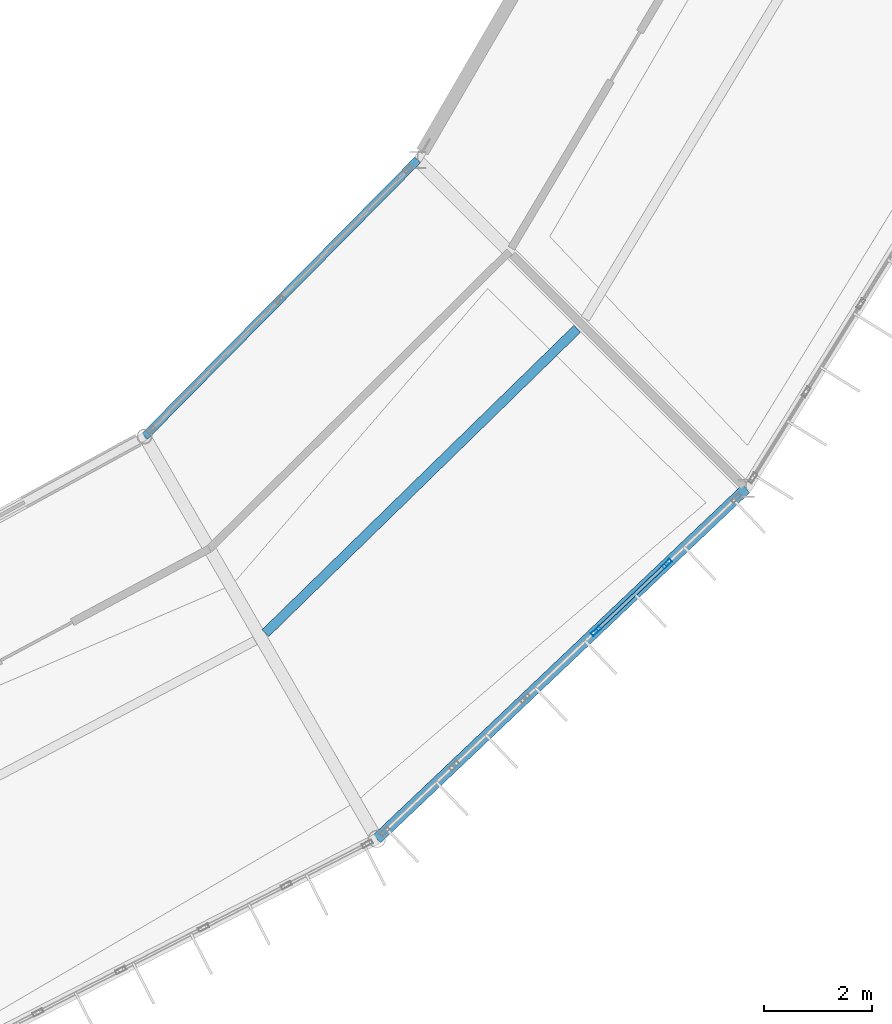
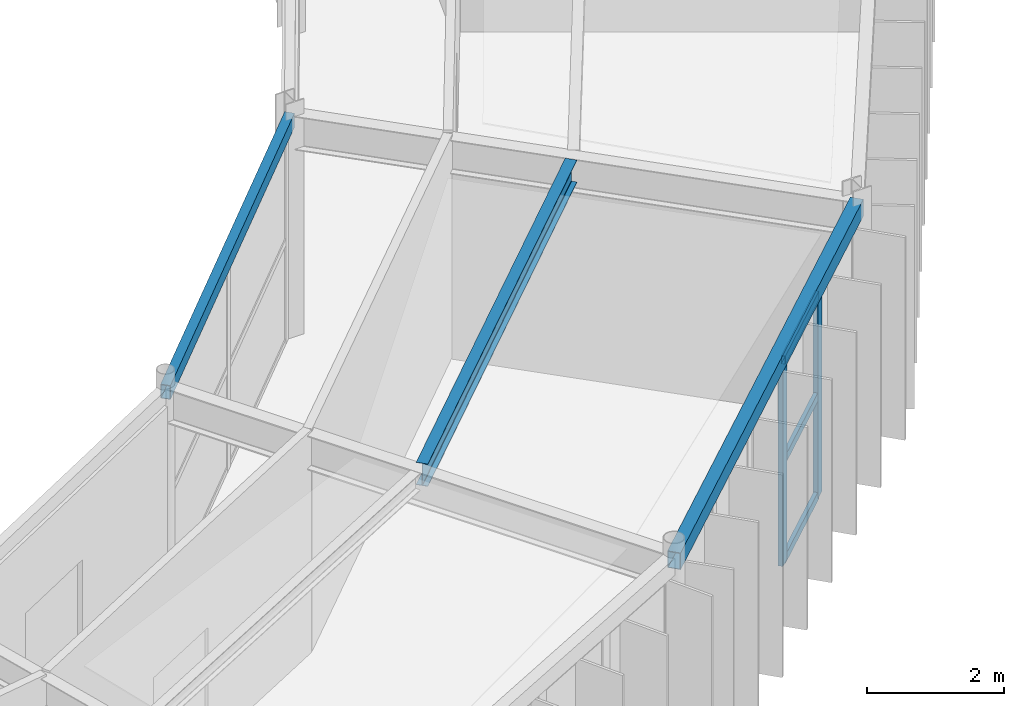
# One storey, part 52 of 148: 5 members, 3 beams, 1 element without a shape of its own.
"""IFC4 building model written with IfcOpenShell, lengths in metres."""

from ifc_helpers import new_model, si_unit, direction, frame, origin, origin_2d, place, context, subcontext, project, spatial, hollow_rectangle, i_section, extrude, material, material_profile, profile_set, type_object, element, aggregate, save


model = new_model("IFC4")

# Units and contexts
model_context = context("Model", 3, precision=1e-05, world=origin(), true_north=direction((0.0, 1.0)))
body_context = subcontext(model_context, "Body", "Model", "MODEL_VIEW")
ifc_project = project(units=[si_unit("LENGTHUNIT", "METRE"), si_unit("AREAUNIT", "SQUARE_METRE"), si_unit("VOLUMEUNIT", "CUBIC_METRE"), si_unit("PLANEANGLEUNIT", "RADIAN"), si_unit("MASSUNIT", "GRAM", prefix="KILO")], contexts=[model_context])

# Site, building, storey
site_placement = place(None, origin())
site = spatial("IfcSite", under=ifc_project, at=site_placement, CompositionType="ELEMENT")
building_placement = place(site_placement, origin())
building = spatial("IfcBuilding", under=site, at=building_placement, Name="Karori Crest Natural Sciences Institute", CompositionType="ELEMENT")
storey_placement = place(building_placement, frame((0.0, 0.0, 4.89990234375)))
storey = spatial("IfcBuildingStorey", under=building, at=storey_placement, Name="L01", CompositionType="ELEMENT", Elevation=4.89990234375)

# Beams
ifc_material_1 = material(Name="Hollow structural steel AS/NZS 1163 Grade C350", Category="steel")
ifc_material_profile_1 = material_profile(ifc_material_1, hollow_rectangle(XDim=0.199951171875, YDim=0.300048828125, WallThickness=0.010009765625, at=origin_2d()), Name="RHS300x200x10")
ifc_profile_set_1 = profile_set([ifc_material_profile_1], Name="Hollow structural steel AS/NZS 1163 Grade C350")
beam_type_1 = type_object("IfcBeamType", Name="BT-15", PredefinedType="SPANDREL", material=ifc_profile_set_1)
beam_1_placement = place(storey_placement, frame((82.89990234375, 14.566162109375, 3.7900390625), z_axis=(0.725481282589, 0.688241896874, 0.0), x_axis=(-0.688241896874, 0.725481282589, 0.0)))
element("IfcBeam", 1, at=beam_1_placement, inside=storey, type_object=beam_type_1, Name="Beam B-0256", PredefinedType="SPANDREL", context=body_context, shape_type="SweptSolid", body=[
    extrude(hollow_rectangle(XDim=0.199951171875, YDim=0.300048828125, WallThickness=0.010009765625, at=origin_2d()), origin(), (0.0, 0.0, 1.0), 9.4208984375),
])
ifc_material_profile_2 = material_profile(ifc_material_1, hollow_rectangle(XDim=0.14990234375, YDim=0.25, WallThickness=0.009033203125, at=origin_2d()), Name="RHS250x150x9")
ifc_profile_set_2 = profile_set([ifc_material_profile_2], Name="Hollow structural steel AS/NZS 1163 Grade C350")
beam_type_2 = type_object("IfcBeamType", Name="BT-16", PredefinedType="SPANDREL", material=ifc_profile_set_2)
beam_2_placement = place(storey_placement, frame((78.60009765625, 22.013916015625, 3.7900390625), z_axis=(0.702645672149, 0.711539921164, 0.0), x_axis=(-0.711539921164, 0.702645672149, 0.0)))
element("IfcBeam", 2, at=beam_2_placement, inside=storey, type_object=beam_type_2, Name="Beam B-0257", PredefinedType="SPANDREL", context=body_context, shape_type="SweptSolid", body=[
    extrude(hollow_rectangle(XDim=0.14990234375, YDim=0.25, WallThickness=0.009033203125, at=origin_2d()), origin(), (0.0, 0.0, 1.0), 7.191650390625),
])
ifc_material_2 = material(Name="Structural steel AS/NZS 3679.1 Grade 350", Category="steel")
ifc_material_profile_3 = material_profile(ifc_material_2, i_section(OverallWidth=0.177978515625, OverallDepth=0.403076171875, WebThickness=0.007568359375, FlangeThickness=0.010986328125, FilletRadius=0.010986328125, at=origin_2d()), Name="410UB53.7")
ifc_profile_set_3 = profile_set([ifc_material_profile_3], Name="Structural steel AS/NZS 3679.1 Grade 350")
beam_type_3 = type_object("IfcBeamType", Name="BT-29", PredefinedType="BEAM", material=ifc_profile_set_3)
beam_3_placement = place(storey_placement, frame((80.8359375, 18.373779296875, 3.738525390625), z_axis=(0.715681193625, 0.698427110794, 0.0), x_axis=(-0.698427110794, 0.715681193625, 0.0)))
element("IfcBeam", 3, at=beam_3_placement, inside=storey, type_object=beam_type_3, Name="Beam B-0259", PredefinedType="BEAM", context=body_context, shape_type="SweptSolid", body=[
    extrude(i_section(OverallWidth=0.177978515625, OverallDepth=0.403076171875, WebThickness=0.007568359375, FlangeThickness=0.010986328125, FilletRadius=0.010986328125, at=origin_2d()), origin(), (0.0, 0.0, 1.0), 8.0654296875),
])

# Curtain wall, members
ifc_material_3 = material(Name="Anodised architectural aluminium 6063-T6", Category="aluminium")
curtain_wall_type = type_object("IfcCurtainWallType", Name="CWT-01", PredefinedType="NOTDEFINED", material=ifc_material_3)
curtain_wall_placement = place(storey_placement, origin())
curtain_wall = element("IfcCurtainWall", 4, at=curtain_wall_placement, inside=storey, type_object=curtain_wall_type, Name="Curtain wall CW-0059", PredefinedType="NOTDEFINED")
ifc_material_profile_4 = material_profile(ifc_material_3, hollow_rectangle(XDim=0.074951171875, YDim=0.199951171875, WallThickness=0.0048828125, at=origin_2d()), Name="CWM200x75x5")
ifc_profile_set_4 = profile_set([ifc_material_profile_4], Name="Anodised architectural aluminium 6063-T6")
member_type_1 = type_object("IfcMemberType", Name="CWM-02", PredefinedType="MULLION", material=ifc_profile_set_4)
member_1_placement = place(storey_placement, frame((88.267578125, 19.658447265625, 0.0), z_axis=(0.0, 0.0, 1.0), x_axis=(0.688250886925, -0.725472753897, 0.0)))
member_1 = element("IfcMember", 5, at=member_1_placement, type_object=member_type_1, Name="CW-0059 mullion 2", PredefinedType="MULLION", context=body_context, shape_type="SweptSolid", body=[
    extrude(hollow_rectangle(XDim=0.074951171875, YDim=0.199951171875, WallThickness=0.0048828125, at=origin_2d()), origin(), (0.0, 0.0, 1.0), 3.625),
])
member_2_placement = place(storey_placement, frame((86.954833984375, 18.412841796875, 0.0), z_axis=(0.0, 0.0, 1.0), x_axis=(0.688250886925, -0.725472753897, 0.0)))
member_2 = element("IfcMember", 6, at=member_2_placement, type_object=member_type_1, Name="CW-0059 mullion 3", PredefinedType="MULLION", context=body_context, shape_type="SweptSolid", body=[
    extrude(hollow_rectangle(XDim=0.074951171875, YDim=0.199951171875, WallThickness=0.0048828125, at=origin_2d()), origin(), (0.0, 0.0, 1.0), 3.625),
])
ifc_material_profile_5 = material_profile(ifc_material_3, hollow_rectangle(XDim=0.06494140625, YDim=0.14990234375, WallThickness=0.00390625, at=origin_2d()), Name="CWT150x65x4")
ifc_profile_set_5 = profile_set([ifc_material_profile_5], Name="Anodised architectural aluminium 6063-T6")
member_type_2 = type_object("IfcMemberType", Name="CWT-TR2", PredefinedType="USERDEFINED", material=ifc_profile_set_5)
member_3_placement = place(storey_placement, frame((88.240478515625, 19.632568359375, 0.03271484375), z_axis=(-0.725508743125, -0.688212949347, 0.0), x_axis=(0.688212949347, -0.725508743125, 0.0)))
member_3 = element("IfcMember", 7, at=member_3_placement, type_object=member_type_2, Name="CW-0059 transom 2.1", ObjectType="TRANSOM", PredefinedType="USERDEFINED", context=body_context, shape_type="SweptSolid", body=[
    extrude(hollow_rectangle(XDim=0.06494140625, YDim=0.14990234375, WallThickness=0.00390625, at=origin_2d()), origin(), (0.0, 0.0, 1.0), 1.734619140625),
])
member_4_placement = place(storey_placement, frame((88.240478515625, 19.632568359375, 1.8125), z_axis=(-0.725508743125, -0.688212949347, 0.0), x_axis=(0.688212949347, -0.725508743125, 0.0)))
member_4 = element("IfcMember", 8, at=member_4_placement, type_object=member_type_2, Name="CW-0059 transom 2.2", ObjectType="TRANSOM", PredefinedType="USERDEFINED", context=body_context, shape_type="SweptSolid", body=[
    extrude(hollow_rectangle(XDim=0.06494140625, YDim=0.14990234375, WallThickness=0.00390625, at=origin_2d()), origin(), (0.0, 0.0, 1.0), 1.734619140625),
])
member_5_placement = place(storey_placement, frame((88.240478515625, 19.632568359375, 3.592529296875), z_axis=(-0.725508743125, -0.688212949347, 0.0), x_axis=(0.688212949347, -0.725508743125, 0.0)))
member_5 = element("IfcMember", 9, at=member_5_placement, type_object=member_type_2, Name="CW-0059 transom 2.3", ObjectType="TRANSOM", PredefinedType="USERDEFINED", context=body_context, shape_type="SweptSolid", body=[
    extrude(hollow_rectangle(XDim=0.06494140625, YDim=0.14990234375, WallThickness=0.00390625, at=origin_2d()), origin(), (0.0, 0.0, 1.0), 1.734619140625),
])
aggregate(curtain_wall, [member_1, member_2, member_3, member_4, member_5])

save(model, "model.ifc")
